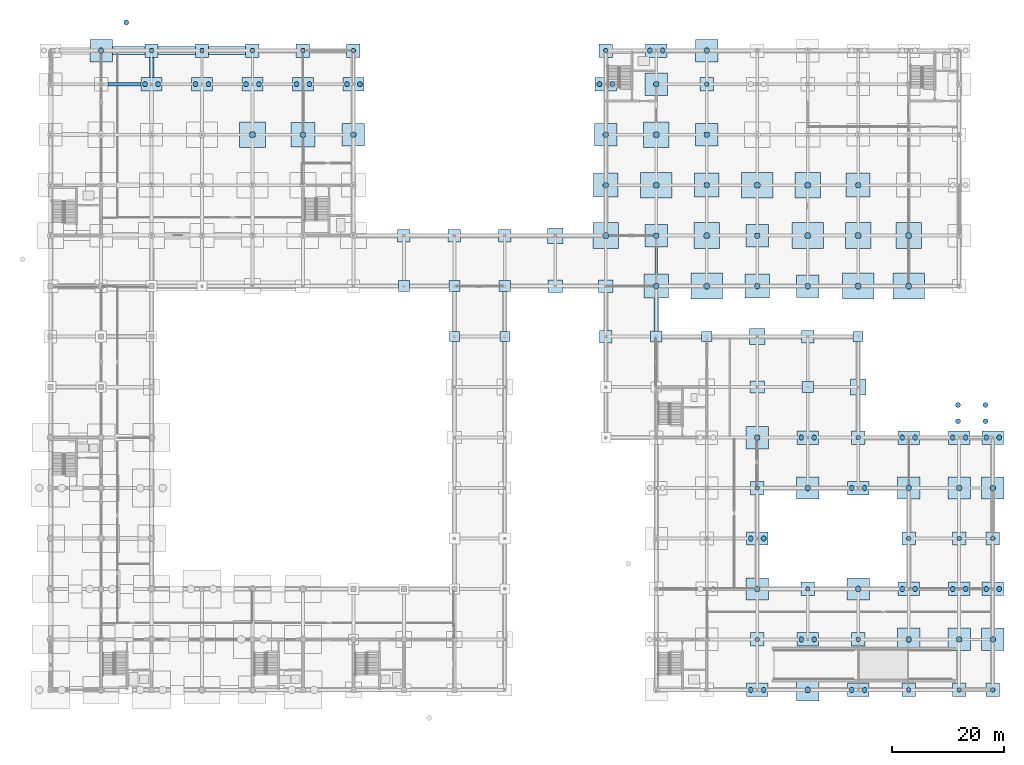
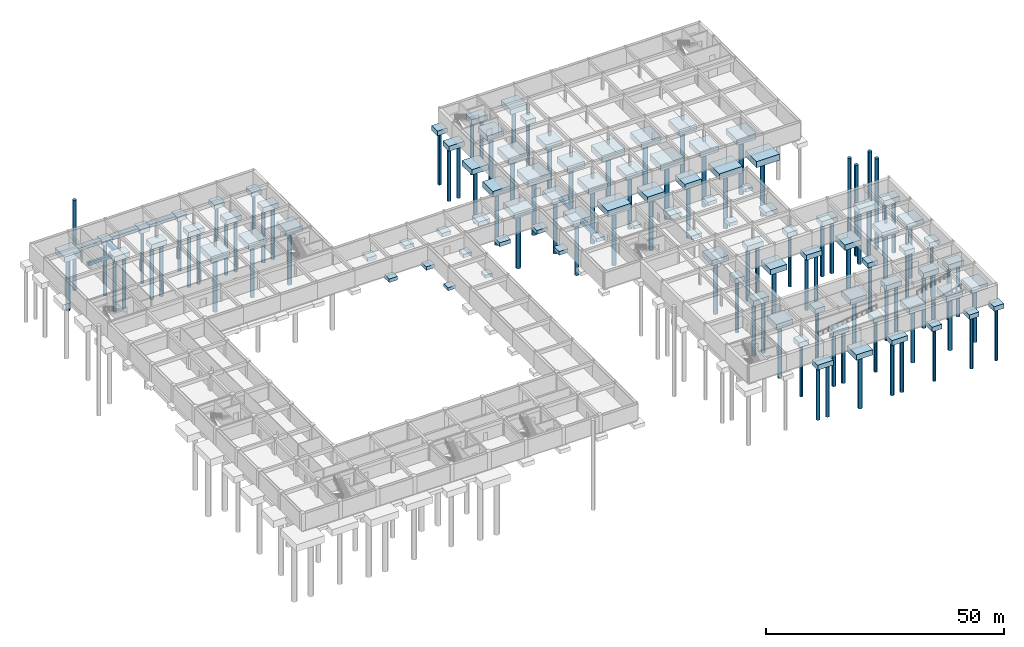
# One storey, part 3 of 41: 103 footings, 100 piles.
"""IFC4 building model written with IfcOpenShell, lengths in metres."""

import ifcopenshell
import ifcopenshell.guid

model = None  # the IFC model being written
_history = None  # IfcOwnerHistory: only IFC2X3 demands one
_inside = {}  # id of a spatial element -> (the spatial element, [elements in it])
_under = {}  # id of a project, library or spatial element -> (it, [spatial elements below it])
_declared = {}  # id of a project -> (the project, [libraries it declares])
_typed = {}  # id of a type object -> (the type object, [elements of that type])
_made_of = {}  # id of a material, layer set ... -> (it, [elements and type objects made of it])


def new_model(schema):
    """Start an empty IFC model of exactly this schema.

    Asked for "IFC4X3", IfcOpenShell would pick the latest addendum, in which some entities
    have other attributes; the version numbers below select the first issue.
    IFC2X3 requires an IfcOwnerHistory on every rooted entity: one is made here for all.
    """
    global model, _history
    if schema == "IFC4X3":
        model = ifcopenshell.file(schema_version=(4, 3, 0, 0))
    else:
        model = ifcopenshell.file(schema=schema)
    _inside.clear()
    _under.clear()
    _declared.clear()
    _typed.clear()
    _made_of.clear()
    _history = None
    if model.schema == "IFC2X3":
        org = make("IfcOrganization", Name="unknown")
        user = make(
            "IfcPersonAndOrganization",
            ThePerson=make("IfcPerson", FamilyName="unknown"),
            TheOrganization=org,
        )
        app = make(
            "IfcApplication",
            ApplicationDeveloper=org,
            Version="unknown",
            ApplicationFullName="unknown",
            ApplicationIdentifier="unknown",
        )
        _history = make(
            "IfcOwnerHistory",
            OwningUser=user,
            OwningApplication=app,
            ChangeAction="ADDED",
            CreationDate=0,
        )
    return model


def make(cls, **values):
    """One entity of the class cls with the attributes given. An attribute that is None is left unset."""
    return model.create_entity(
        cls, **{name: value for name, value in values.items() if value is not None}
    )


def rooted(cls, **values):
    """An entity with a GlobalId (a new one), such as an element, a storey or a relation."""
    return make(cls, GlobalId=ifcopenshell.guid.new(), OwnerHistory=_history, **values)


def si_unit(unit_type, name, prefix=None):
    """IfcSIUnit, for example si_unit("LENGTHUNIT", "METRE", prefix="MILLI")."""
    return make("IfcSIUnit", UnitType=unit_type, Prefix=prefix, Name=name)


def assignment(units):
    """IfcUnitAssignment: the units of a project."""
    return None if units is None else make("IfcUnitAssignment", Units=units)


def point(xyz):
    """IfcCartesianPoint."""
    return None if xyz is None else make("IfcCartesianPoint", Coordinates=xyz)


def direction(xyz):
    """IfcDirection."""
    return None if xyz is None else make("IfcDirection", DirectionRatios=xyz)


def frame(location, z_axis=None, x_axis=None):
    """IfcAxis2Placement3D, a coordinate frame: its origin and axes. An axis left out is left unset."""
    return make(
        "IfcAxis2Placement3D",
        Location=point(location),
        Axis=direction(z_axis),
        RefDirection=direction(x_axis),
    )


def frame_2d(location, x_axis=None):
    """IfcAxis2Placement2D, a coordinate frame in the plane: its origin and x axis."""
    return make(
        "IfcAxis2Placement2D", Location=point(location), RefDirection=direction(x_axis)
    )


def origin():
    """The frame at (0, 0, 0) with its axes left unset."""
    return frame((0.0, 0.0, 0.0))


def origin_2d():
    """The frame at (0, 0) in the plane with its x axis left unset."""
    return frame_2d((0.0, 0.0))


def place(relative_to, where):
    """IfcLocalPlacement: puts the frame where relative to a parent placement (None: the world)."""
    return make(
        "IfcLocalPlacement", PlacementRelTo=relative_to, RelativePlacement=where
    )


def context(
    kind, dimensions, precision=None, world=None, true_north=None, identifier=None
):
    """IfcGeometricRepresentationContext, for example the 3D "Model" context."""
    return make(
        "IfcGeometricRepresentationContext",
        ContextIdentifier=identifier,
        ContextType=kind,
        CoordinateSpaceDimension=dimensions,
        Precision=precision,
        WorldCoordinateSystem=world,
        TrueNorth=true_north,
    )


def subcontext(parent, identifier, kind, view, scale=None):
    """IfcGeometricRepresentationSubContext, for example "Body" below "Model"."""
    return make(
        "IfcGeometricRepresentationSubContext",
        ContextIdentifier=identifier,
        ContextType=kind,
        ParentContext=parent,
        TargetScale=scale,
        TargetView=view,
    )


def project(units=None, contexts=None):
    """IfcProject with its units and contexts."""
    return rooted(
        "IfcProject",
        Name="project",
        RepresentationContexts=contexts,
        UnitsInContext=assignment(units),
    )


def spatial(cls, under=None, at=None, **own):
    """A site, building, storey or space (cls), placed at a placement, below another one or the project."""
    s = rooted(cls, ObjectPlacement=at, **own)
    if under is not None:
        _under.setdefault(under.id(), (under, []))[1].append(s)
    return s


def profile(cls, at=None, kind="AREA", **sizes):
    """A parametric profile (cls). Its sizes go by their IFC names, for example OverallWidth=200.0."""
    return make(cls, ProfileType=kind, Position=at, **sizes)


def rectangle(**sizes):
    """IfcRectangleProfileDef."""
    return profile("IfcRectangleProfileDef", **sizes)


def circle(**sizes):
    """IfcCircleProfileDef."""
    return profile("IfcCircleProfileDef", **sizes)


def extrude(swept, where, along, depth):
    """IfcExtrudedAreaSolid: the profile swept, set in the frame where, extruded along a direction by depth."""
    return make(
        "IfcExtrudedAreaSolid",
        SweptArea=swept,
        Position=where,
        ExtrudedDirection=direction(along),
        Depth=depth,
    )


def shape(context_of_items, identifier, shape_type, items):
    """IfcShapeRepresentation: the items that make up one representation, for example the "Body"."""
    return make(
        "IfcShapeRepresentation",
        ContextOfItems=context_of_items,
        RepresentationIdentifier=identifier,
        RepresentationType=shape_type,
        Items=items,
    )


def material(Name=None, Category=None):
    """IfcMaterial."""
    return make("IfcMaterial", Name=Name, Category=Category)


def material_profile(
    of_material, cross_section, Name=None, Category=None, Priority=None
):
    """IfcMaterialProfile: a cross section and its material."""
    return make(
        "IfcMaterialProfile",
        Name=Name,
        Material=of_material,
        Profile=cross_section,
        Priority=Priority,
        Category=Category,
    )


def profile_set(profiles, Name=None, composite=None):
    """IfcMaterialProfileSet."""
    return make(
        "IfcMaterialProfileSet",
        Name=Name,
        MaterialProfiles=profiles,
        CompositeProfile=composite,
    )


def made_of(thing, what):
    """Note that an element or type object is made of a material, layer set ...; save() writes the relation."""
    if what is not None:
        _made_of.setdefault(what.id(), (what, []))[1].append(thing)
    return thing


def type_object(cls, material=None, **own):
    """A type object (cls), such as IfcWallType, which elements share."""
    return made_of(rooted(cls, **own), material)


def element(
    cls,
    number,
    at=None,
    inside=None,
    cuts=None,
    type_object=None,
    material=None,
    context=None,
    identifier="Body",
    shape_type=None,
    held_by="IfcProductDefinitionShape",
    body=None,
    shapes=None,
    **own,
):
    """One element of the class cls, such as IfcWall. Its Tag is "e" and its number.

    at: its placement. inside: the storey or other place that contains it. cuts: it is an
    opening in that element (IfcRelVoidsElement). A single representation is given by context,
    identifier, shape_type and body (its items); several are given by shapes. held_by: the class
    of the entity that holds the representations. save() writes the other relations.
    """
    e = rooted(cls, Tag="e%d" % number, ObjectPlacement=at, **own)
    if body is not None:
        shapes = [shape(context, identifier, shape_type, body)]
    if shapes is not None:
        e.Representation = make(held_by, Representations=shapes)
    if inside is not None:
        _inside.setdefault(inside.id(), (inside, []))[1].append(e)
    if cuts is not None:
        rooted(
            "IfcRelVoidsElement", RelatingBuildingElement=cuts, RelatedOpeningElement=e
        )
    if type_object is not None:
        _typed.setdefault(type_object.id(), (type_object, []))[1].append(e)
    return made_of(e, material)


def aggregate(whole, parts):
    """IfcRelAggregates: a whole, such as a stair, and the parts it consists of."""
    return rooted("IfcRelAggregates", RelatingObject=whole, RelatedObjects=parts)


def save(model, path):
    """Write the relations noted so far, then the file.

    IfcRelAggregates (storeys below a building ...), IfcRelContainedInSpatialStructure (elements
    in a storey), IfcRelDefinesByType, IfcRelAssociatesMaterial and IfcRelDeclares: one each for
    every whole, place, type object, material and project.
    """
    for whole, parts in _under.values():
        aggregate(whole, parts)
    for where, things in _inside.values():
        rooted(
            "IfcRelContainedInSpatialStructure",
            RelatedElements=things,
            RelatingStructure=where,
        )
    for kind, things in _typed.values():
        rooted("IfcRelDefinesByType", RelatedObjects=things, RelatingType=kind)
    for what, things in _made_of.values():
        rooted("IfcRelAssociatesMaterial", RelatedObjects=things, RelatingMaterial=what)
    for by, libraries in _declared.values():
        rooted("IfcRelDeclares", RelatingContext=by, RelatedDefinitions=libraries)
    model.write(path)


model = new_model("IFC4")

# Units and contexts
model_context = context("Model", 3, precision=1e-05, world=origin(), true_north=direction((0.0, 1.0)))
body_context = subcontext(model_context, "Body", "Model", "MODEL_VIEW")
ifc_project = project(units=[si_unit("LENGTHUNIT", "METRE"), si_unit("AREAUNIT", "SQUARE_METRE"), si_unit("VOLUMEUNIT", "CUBIC_METRE"), si_unit("PLANEANGLEUNIT", "RADIAN"), si_unit("MASSUNIT", "GRAM", prefix="KILO")], contexts=[model_context])

# Site, building, storey
site_placement = place(None, origin())
site = spatial("IfcSite", under=ifc_project, at=site_placement, CompositionType="ELEMENT")
building_placement = place(site_placement, origin())
building = spatial("IfcBuilding", under=site, at=building_placement, Name="Palais des Congres Ocreval", CompositionType="ELEMENT")
storey_placement = place(building_placement, frame((0.0, 0.0, -8.9599609375)))
storey = spatial("IfcBuildingStorey", under=building, at=storey_placement, Name="B2", CompositionType="ELEMENT", Elevation=-8.9599609375)

# Piles
ifc_material = material(Name="Concrete C35/45", Category="concrete")
ifc_material_profile_1 = material_profile(ifc_material, circle(Radius=0.5, at=origin_2d()), Name="BORED PILE 1000")
ifc_profile_set_1 = profile_set([ifc_material_profile_1], Name="Concrete C35/45")
pile_type_1 = type_object("IfcPileType", Name="Bored Pile D1000 Concrete C35/45", PredefinedType="BORED", material=ifc_profile_set_1)
for number, where, z_axis, x_axis, name in (
    (1, (9.0, 114.0, -2.0), (0.0, 0.0, -1.0), (1.0, 0.0, 0.0), "Bored Pile PI03"),
    (2, (45.0, 99.0, -2.10009765625), (0.0, 0.0, -1.0), (1.0, 0.0, 0.0), "Bored Pile PI03"),
    (3, (54.0, 99.0, -2.0), (0.0, 0.0, -1.0), (1.0, 0.0, 0.0), "Bored Pile PI03"),
    (4, (99.0, 90.0, -2.10009765625), (0.0, 0.0, -1.0), (1.0, 0.0, 0.0), "Bored Pile PI03"),
    (5, (99.0, 99.0, -2.0), (0.0, 0.0, -1.0), (1.0, 0.0, 0.0), "Bored Pile PI03"),
    (6, (108.0, 72.0, -2.10009765625), (0.0, 0.0, -1.0), (1.0, 0.0, 0.0), "Bored Pile PI03"),
    (7, (108.0, 81.0, -2.0), (0.0, 0.0, -1.0), (1.0, 0.0, 0.0), "Bored Pile PI03"),
    (8, (108.0, 108.0, -2.0), (0.0, 0.0, -1.0), (1.0, 0.0, 0.0), "Bored Pile PI03"),
    (9, (117.0, 90.0, -2.10009765625), (0.0, 0.0, -1.0), (1.0, 0.0, 0.0), "Bored Pile PI03"),
    (10, (117.0, 99.0, -2.0), (0.0, 0.0, -1.0), (1.0, 0.0, 0.0), "Bored Pile PI03"),
    (11, (117.0, 114.0, -2.0), (0.0, 0.0, -1.0), (1.0, 0.0, 0.0), "Bored Pile PI03"),
    (12, (126.0, 18.0, -2.0), (0.0, 0.0, -1.0), (1.0, 0.0, 0.0), "Bored Pile PI03"),
    (13, (126.0, 45.0, -2.0), (0.0, 0.0, -1.0), (1.0, 0.0, 0.0), "Bored Pile PI03"),
    (14, (126.0, 72.0, -2.10009765625), (0.0, 0.0, -1.0), (1.0, 0.0, 0.0), "Bored Pile PI03"),
    (15, (126.0, 81.0, -2.0), (0.0, 0.0, -1.0), (1.0, 0.0, 0.0), "Bored Pile PI03"),
    (16, (135.0, 0.0, -2.0), (0.0, 0.0, -1.0), (1.0, 0.0, 0.0), "Bored Pile PI03"),
    (17, (135.0, 36.0, -2.0), (0.0, 0.0, -1.0), (1.0, 0.0, 0.0), "Bored Pile PI03"),
    (18, (135.0, 72.0, -2.0), (0.0, 0.0, -1.0), (1.0, 0.0, 0.0), "Bored Pile PI03"),
    (19, (144.0, 18.0, -2.0), (0.0, 0.0, -1.0), (1.0, 0.0, 0.0), "Bored Pile PI03"),
    (20, (144.0, 90.0, -2.10009765625), (0.0, 0.0, -1.0), (1.0, 0.0, 0.0), "Bored Pile PI03"),
    (21, (153.0, 9.0, -2.0), (0.0, 0.0, -1.0), (1.0, 0.0, 0.0), "Bored Pile PI03"),
    (22, (153.0, 36.0, -2.0), (0.0, 0.0, -1.0), (1.0, 0.0, 0.0), "Bored Pile PI03"),
    (23, (162.0, 9.0, -2.0), (0.0, 0.0, -1.0), (1.0, 0.0, 0.0), "Bored Pile PI03"),
    (24, (162.0, 36.0, -2.0), (0.0, 0.0, -1.0), (1.0, 0.0, 0.0), "Bored Pile PI03"),
    (25, (168.0, 9.0, -2.0), (0.0, 0.0, -1.0), (1.0, 0.0, 0.0), "Bored Pile PI03"),
    (26, (168.0, 36.0, -2.0), (0.0, 0.0, -1.0), (1.0, 0.0, 0.0), "Bored Pile PI03"),
):
    element("IfcPile", number, at=place(storey_placement, frame(where, z_axis=z_axis, x_axis=x_axis)), inside=storey, type_object=pile_type_1, Name=name, PredefinedType="BORED", context=body_context, shape_type="SweptSolid", body=[
        extrude(circle(Radius=0.5, at=origin_2d()), origin(), (0.0, 0.0, 1.0), 14.0),
    ])
ifc_material_profile_2 = material_profile(ifc_material, circle(Radius=0.550048828125, at=origin_2d()), Name="BORED PILE 1100")
ifc_profile_set_2 = profile_set([ifc_material_profile_2], Name="Concrete C35/45")
pile_type_2 = type_object("IfcPileType", Name="Bored Pile D1100 Concrete C35/45", PredefinedType="BORED", material=ifc_profile_set_2)
for number, where, z_axis, x_axis, name in (
    (27, (36.0, 99.0, -2.10009765625), (0.0, 0.0, -1.0), (1.0, 0.0, 0.0), "Bored Pile PI04"),
    (28, (99.0, 81.0, -2.10009765625), (0.0, 0.0, -1.0), (1.0, 0.0, 0.0), "Bored Pile PI04"),
    (29, (108.0, 90.0, -2.199951171875), (0.0, 0.0, -1.0), (1.0, 0.0, 0.0), "Bored Pile PI04"),
    (30, (108.0, 99.0, -2.10009765625), (0.0, 0.0, -1.0), (1.0, 0.0, 0.0), "Bored Pile PI04"),
    (31, (117.0, 72.0, -2.199951171875), (0.0, 0.0, -1.0), (1.0, 0.0, 0.0), "Bored Pile PI04"),
    (32, (117.0, 81.0, -2.10009765625), (0.0, 0.0, -1.0), (1.0, 0.0, 0.0), "Bored Pile PI04"),
    (33, (126.0, 90.0, -2.199951171875), (0.0, 0.0, -1.0), (1.0, 0.0, 0.0), "Bored Pile PI04"),
    (34, (135.0, 81.0, -2.199951171875), (0.0, 0.0, -1.0), (1.0, 0.0, 0.0), "Bored Pile PI04"),
    (35, (135.0, 90.0, -2.10009765625), (0.0, 0.0, -1.0), (1.0, 0.0, 0.0), "Bored Pile PI04"),
    (36, (144.0, 72.0, -2.199951171875), (0.0, 0.0, -1.0), (1.0, 0.0, 0.0), "Bored Pile PI04"),
    (37, (144.0, 81.0, -2.10009765625), (0.0, 0.0, -1.0), (1.0, 0.0, 0.0), "Bored Pile PI04"),
    (38, (153.0, 72.0, -2.199951171875), (0.0, 0.0, -1.0), (1.0, 0.0, 0.0), "Bored Pile PI04"),
    (39, (153.0, 81.0, -2.10009765625), (0.0, 0.0, -1.0), (1.0, 0.0, 0.0), "Bored Pile PI04"),
):
    element("IfcPile", number, at=place(storey_placement, frame(where, z_axis=z_axis, x_axis=x_axis)), inside=storey, type_object=pile_type_2, Name=name, PredefinedType="BORED", context=body_context, shape_type="SweptSolid", body=[
        extrude(circle(Radius=0.550048828125, at=origin_2d()), origin(), (0.0, 0.0, 1.0), 14.5),
    ])
ifc_material_profile_3 = material_profile(ifc_material, circle(Radius=0.39990234375, at=origin_2d()), Name="BORED PILE 800")
ifc_profile_set_3 = profile_set([ifc_material_profile_3], Name="Concrete C35/45")
pile_type_3 = type_object("IfcPileType", Name="Bored Pile D800 Concrete C35/45", PredefinedType="BORED", material=ifc_profile_set_3)
for number, where, z_axis, x_axis, name in (
    (40, (18.0, 114.0, -1.800048828125), (0.0, 0.0, -1.0), (1.0, 0.0, 0.0), "Bored Pile PI01"),
    (41, (27.0, 114.0, -1.800048828125), (0.0, 0.0, -1.0), (1.0, 0.0, 0.0), "Bored Pile PI01"),
    (42, (36.0, 114.0, -1.800048828125), (0.0, 0.0, -1.0), (1.0, 0.0, 0.0), "Bored Pile PI01"),
    (43, (45.0, 114.0, -1.800048828125), (0.0, 0.0, -1.0), (1.0, 0.0, 0.0), "Bored Pile PI01"),
    (44, (54.0, 114.0, -1.800048828125), (0.0, 0.0, -1.0), (1.0, 0.0, 0.0), "Bored Pile PI01"),
    (45, (99.0, 114.0, -1.800048828125), (0.0, 0.0, -1.0), (1.0, 0.0, 0.0), "Bored Pile PI01"),
    (46, (117.0, 108.0, -1.800048828125), (0.0, 0.0, -1.0), (1.0, 0.0, 0.0), "Bored Pile PI01"),
    (47, (126.0, 9.0, -1.800048828125), (0.0, 0.0, -1.0), (1.0, 0.0, 0.0), "Bored Pile PI01"),
    (48, (126.0, 36.0, -1.800048828125), (0.0, 0.0, -1.0), (1.0, 0.0, 0.0), "Bored Pile PI01"),
    (49, (135.0, 18.0, -1.800048828125), (0.0, 0.0, -1.0), (1.0, 0.0, 0.0), "Bored Pile PI01"),
    (50, (144.0, 9.0, -1.800048828125), (0.0, 0.0, -1.0), (1.0, 0.0, 0.0), "Bored Pile PI01"),
    (51, (144.0, 45.0, -1.800048828125), (0.0, 0.0, -1.0), (1.0, 0.0, 0.0), "Bored Pile PI01"),
    (52, (153.0, 0.0, -1.800048828125), (0.0, 0.0, -1.0), (1.0, 0.0, 0.0), "Bored Pile PI01"),
    (53, (153.0, 27.0, -1.800048828125), (0.0, 0.0, -1.0), (1.0, 0.0, 0.0), "Bored Pile PI01"),
    (54, (162.0, 0.0, -1.800048828125), (0.0, 0.0, -1.0), (1.0, 0.0, 0.0), "Bored Pile PI01"),
    (55, (162.0, 27.0, -1.800048828125), (0.0, 0.0, -1.0), (1.0, 0.0, 0.0), "Bored Pile PI01"),
    (56, (168.0, 0.0, -1.800048828125), (0.0, 0.0, -1.0), (1.0, 0.0, 0.0), "Bored Pile PI01"),
    (57, (168.0, 27.0, -1.800048828125), (0.0, 0.0, -1.0), (1.0, 0.0, 0.0), "Bored Pile PI01"),
):
    element("IfcPile", number, at=place(storey_placement, frame(where, z_axis=z_axis, x_axis=x_axis)), inside=storey, type_object=pile_type_3, Name=name, PredefinedType="BORED", context=body_context, shape_type="SweptSolid", body=[
        extrude(circle(Radius=0.39990234375, at=origin_2d()), origin(), (0.0, 0.0, 1.0), 13.5),
    ])
ifc_material_profile_4 = material_profile(ifc_material, circle(Radius=0.449951171875, at=origin_2d()), Name="BORED PILE 900")
ifc_profile_set_4 = profile_set([ifc_material_profile_4], Name="Concrete C35/45")
pile_type_4 = type_object("IfcPileType", Name="Bored Pile D900 Concrete C35/45", PredefinedType="BORED", material=ifc_profile_set_4)
for number, where, z_axis, x_axis, name in (
    (58, (16.85009765625, 108.0, -1.900146484375), (0.0, 0.0, -1.0), (1.0, 0.0, 0.0), "Bored Pile PI02"),
    (59, (19.14990234375, 108.0, -1.900146484375), (0.0, 0.0, -1.0), (1.0, 0.0, 0.0), "Bored Pile PI02"),
    (60, (25.85009765625, 108.0, -1.900146484375), (0.0, 0.0, -1.0), (1.0, 0.0, 0.0), "Bored Pile PI02"),
    (61, (28.14990234375, 108.0, -1.900146484375), (0.0, 0.0, -1.0), (1.0, 0.0, 0.0), "Bored Pile PI02"),
    (62, (34.85009765625, 108.0, -1.900146484375), (0.0, 0.0, -1.0), (1.0, 0.0, 0.0), "Bored Pile PI02"),
    (63, (37.14990234375, 108.0, -1.900146484375), (0.0, 0.0, -1.0), (1.0, 0.0, 0.0), "Bored Pile PI02"),
    (64, (43.85009765625, 108.0, -1.900146484375), (0.0, 0.0, -1.0), (1.0, 0.0, 0.0), "Bored Pile PI02"),
    (65, (46.14990234375, 108.0, -1.900146484375), (0.0, 0.0, -1.0), (1.0, 0.0, 0.0), "Bored Pile PI02"),
    (66, (52.85009765625, 108.0, -1.900146484375), (0.0, 0.0, -1.0), (1.0, 0.0, 0.0), "Bored Pile PI02"),
    (67, (55.14990234375, 108.0, -1.900146484375), (0.0, 0.0, -1.0), (1.0, 0.0, 0.0), "Bored Pile PI02"),
    (68, (97.85009765625, 108.0, -1.900146484375), (0.0, 0.0, -1.0), (1.0, 0.0, 0.0), "Bored Pile PI02"),
    (69, (100.14990234375, 108.0, -1.900146484375), (0.0, 0.0, -1.0), (1.0, 0.0, 0.0), "Bored Pile PI02"),
    (70, (106.85009765625, 114.0, -1.900146484375), (0.0, 0.0, -1.0), (1.0, 0.0, 0.0), "Bored Pile PI02"),
    (71, (109.14990234375, 114.0, -1.900146484375), (0.0, 0.0, -1.0), (1.0, 0.0, 0.0), "Bored Pile PI02"),
    (72, (124.85009765625, 0.0, -1.900146484375), (0.0, 0.0, -1.0), (1.0, 0.0, 0.0), "Bored Pile PI02"),
    (73, (127.14990234375, 0.0, -1.900146484375), (0.0, 0.0, -1.0), (1.0, 0.0, 0.0), "Bored Pile PI02"),
    (74, (124.85009765625, 27.0, -1.900146484375), (0.0, 0.0, -1.0), (1.0, 0.0, 0.0), "Bored Pile PI02"),
    (75, (127.14990234375, 27.0, -1.900146484375), (0.0, 0.0, -1.0), (1.0, 0.0, 0.0), "Bored Pile PI02"),
    (76, (133.85009765625, 9.0, -1.900146484375), (0.0, 0.0, -1.0), (1.0, 0.0, 0.0), "Bored Pile PI02"),
    (77, (136.14990234375, 9.0, -1.900146484375), (0.0, 0.0, -1.0), (1.0, 0.0, 0.0), "Bored Pile PI02"),
    (78, (133.85009765625, 45.0, -1.900146484375), (0.0, 0.0, -1.0), (1.0, 0.0, 0.0), "Bored Pile PI02"),
    (79, (136.14990234375, 45.0, -1.900146484375), (0.0, 0.0, -1.0), (1.0, 0.0, 0.0), "Bored Pile PI02"),
    (80, (142.85009765625, 0.0, -1.900146484375), (0.0, 0.0, -1.0), (1.0, 0.0, 0.0), "Bored Pile PI02"),
    (81, (145.14990234375, 0.0, -1.900146484375), (0.0, 0.0, -1.0), (1.0, 0.0, 0.0), "Bored Pile PI02"),
    (82, (142.85009765625, 36.0, -1.900146484375), (0.0, 0.0, -1.0), (1.0, 0.0, 0.0), "Bored Pile PI02"),
    (83, (145.14990234375, 36.0, -1.900146484375), (0.0, 0.0, -1.0), (1.0, 0.0, 0.0), "Bored Pile PI02"),
    (84, (151.85009765625, 18.0, -1.900146484375), (0.0, 0.0, -1.0), (1.0, 0.0, 0.0), "Bored Pile PI02"),
    (85, (154.14990234375, 18.0, -1.900146484375), (0.0, 0.0, -1.0), (1.0, 0.0, 0.0), "Bored Pile PI02"),
    (86, (151.85009765625, 45.0, -1.900146484375), (0.0, 0.0, -1.0), (1.0, 0.0, 0.0), "Bored Pile PI02"),
    (87, (154.14990234375, 45.0, -1.900146484375), (0.0, 0.0, -1.0), (1.0, 0.0, 0.0), "Bored Pile PI02"),
    (88, (160.85009765625, 18.0, -1.900146484375), (0.0, 0.0, -1.0), (1.0, 0.0, 0.0), "Bored Pile PI02"),
    (89, (163.14990234375, 18.0, -1.900146484375), (0.0, 0.0, -1.0), (1.0, 0.0, 0.0), "Bored Pile PI02"),
    (90, (160.85009765625, 45.0, -1.900146484375), (0.0, 0.0, -1.0), (1.0, 0.0, 0.0), "Bored Pile PI02"),
    (91, (163.14990234375, 45.0, -1.900146484375), (0.0, 0.0, -1.0), (1.0, 0.0, 0.0), "Bored Pile PI02"),
    (92, (166.85009765625, 18.0, -1.900146484375), (0.0, 0.0, -1.0), (1.0, 0.0, 0.0), "Bored Pile PI02"),
    (93, (169.14990234375, 18.0, -1.900146484375), (0.0, 0.0, -1.0), (1.0, 0.0, 0.0), "Bored Pile PI02"),
    (94, (166.85009765625, 45.0, -1.900146484375), (0.0, 0.0, -1.0), (1.0, 0.0, 0.0), "Bored Pile PI02"),
    (95, (169.14990234375, 45.0, -1.900146484375), (0.0, 0.0, -1.0), (1.0, 0.0, 0.0), "Bored Pile PI02"),
):
    element("IfcPile", number, at=place(storey_placement, frame(where, z_axis=z_axis, x_axis=x_axis)), inside=storey, type_object=pile_type_4, Name=name, PredefinedType="BORED", context=body_context, shape_type="SweptSolid", body=[
        extrude(circle(Radius=0.449951171875, at=origin_2d()), origin(), (0.0, 0.0, 1.0), 13.5),
    ])
for number, where, z_axis, x_axis, name in (
    (96, (161.800048828125, 47.89990234375, 7.85986328125), (0.0, 0.0, -1.0), (1.0, 0.0, 0.0), "Vehicle Ramp Apron Bored Pile 1"),
    (97, (166.699951171875, 47.89990234375, 7.85986328125), (0.0, 0.0, -1.0), (1.0, 0.0, 0.0), "Vehicle Ramp Apron Bored Pile 2"),
    (98, (161.800048828125, 50.800048828125, 7.85986328125), (0.0, 0.0, -1.0), (1.0, 0.0, 0.0), "Vehicle Ramp Apron Bored Pile 3"),
    (99, (166.699951171875, 50.800048828125, 7.85986328125), (0.0, 0.0, -1.0), (1.0, 0.0, 0.0), "Vehicle Ramp Apron Bored Pile 4"),
):
    element("IfcPile", number, at=place(storey_placement, frame(where, z_axis=z_axis, x_axis=x_axis)), inside=storey, type_object=pile_type_4, Name=name, PredefinedType="BORED", context=body_context, shape_type="SweptSolid", body=[
        extrude(circle(Radius=0.449951171875, at=origin_2d()), origin(), (0.0, 0.0, 1.0), 23.260009765625),
    ])
pile_placement = place(storey_placement, frame((13.5, 119.0, 7.679931640625), z_axis=(0.0, 0.0, -1.0), x_axis=(1.0, 0.0, 0.0)))
element("IfcPile", 100, at=pile_placement, inside=storey, type_object=pile_type_4, Name="North Congress Parvis Accessible PMR Ramp R6 Threshold Bored Pile", PredefinedType="BORED", context=body_context, shape_type="SweptSolid", body=[
    extrude(circle(Radius=0.449951171875, at=origin_2d()), origin(), (0.0, 0.0, 1.0), 23.080078125),
])

# Footings
footing_type_1 = type_object("IfcFootingType", Name="Ground Tie Beam 500x700 Concrete C35/45", PredefinedType="FOOTING_BEAM", material=ifc_material)
footing_1_placement = place(storey_placement, frame((108.0, 76.574951171875, -1.2998046875), z_axis=(0.0, 0.0, 1.0), x_axis=(0.0, 1.0, 0.0)))
element("IfcFooting", 101, at=footing_1_placement, inside=storey, type_object=footing_type_1, Name="Foundation Beam TB04", PredefinedType="FOOTING_BEAM", context=body_context, shape_type="SweptSolid", body=[
    extrude(rectangle(XDim=4.85009765625, YDim=0.5, at=origin_2d()), origin(), (0.0, 0.0, 1.0), 0.699951171875),
])
footing_type_2 = type_object("IfcFootingType", Name="Ground Tie Beam 600x800 Concrete C35/45", PredefinedType="FOOTING_BEAM", material=ifc_material)
footing_2_placement = place(storey_placement, frame((13.14990234375, 108.0, -1.39990234375), z_axis=(0.0, 0.0, 1.0), x_axis=(1.0, 0.0, 0.0)))
element("IfcFooting", 102, at=footing_2_placement, inside=storey, type_object=footing_type_2, Name="Foundation Beam TB01", PredefinedType="FOOTING_BEAM", context=body_context, shape_type="SweptSolid", body=[
    extrude(rectangle(XDim=5.89990234375, YDim=0.60009765625, at=origin_2d()), origin(), (0.0, 0.0, 1.0), 0.800048828125),
])
footing_type_3 = type_object("IfcFootingType", Name="Ground Tie Beam 800x1000 Concrete C35/45", PredefinedType="FOOTING_BEAM", material=ifc_material)
footing_3_placement = place(storey_placement, frame((18.0, 111.0, -1.60009765625), z_axis=(0.0, 0.0, 1.0), x_axis=(0.0, 1.0, 0.0)))
element("IfcFooting", 103, at=footing_3_placement, inside=storey, type_object=footing_type_3, Name="Foundation Beam TB03", PredefinedType="FOOTING_BEAM", context=body_context, shape_type="SweptSolid", body=[
    extrude(rectangle(XDim=3.60009765625, YDim=0.800048828125, at=origin_2d()), origin(), (0.0, 0.0, 1.0), 1.0),
])
footing_4_placement = place(storey_placement, frame((108.0, 66.925048828125, -1.60009765625), z_axis=(0.0, 0.0, 1.0), x_axis=(0.0, 1.0, 0.0)))
element("IfcFooting", 104, at=footing_4_placement, inside=storey, type_object=footing_type_3, Name="Foundation Beam TB03", PredefinedType="FOOTING_BEAM", context=body_context, shape_type="SweptSolid", body=[
    extrude(rectangle(XDim=5.85009765625, YDim=0.800048828125, at=origin_2d()), origin(), (0.0, 0.0, 1.0), 1.0),
])
footing_type_4 = type_object("IfcFootingType", Name="Pad Footing 1800x1800x800 Concrete C35/45", PredefinedType="PAD_FOOTING", material=ifc_material)
for number, where, z_axis, x_axis, name in (
    (105, (72.0, 63.0, -1.39990234375), (0.0, 0.0, 1.0), (1.0, 0.0, 0.0), "Foundation PF01 (72,63)"),
    (106, (81.0, 63.0, -1.39990234375), (0.0, 0.0, 1.0), (1.0, 0.0, 0.0), "Foundation PF01 (81,63)"),
    (107, (117.0, 63.0, -1.39990234375), (0.0, 0.0, 1.0), (1.0, 0.0, 0.0), "Foundation PF01 (117,63)"),
    (108, (144.0, 63.0, -1.39990234375), (0.0, 0.0, 1.0), (1.0, 0.0, 0.0), "Foundation PF01 (144,63)"),
):
    element("IfcFooting", number, at=place(storey_placement, frame(where, z_axis=z_axis, x_axis=x_axis)), inside=storey, type_object=footing_type_4, Name=name, PredefinedType="PAD_FOOTING", context=body_context, shape_type="SweptSolid", body=[
        extrude(rectangle(XDim=1.800048828125, YDim=1.800048828125, at=origin_2d()), origin(), (0.0, 0.0, 1.0), 0.800048828125),
    ])
footing_type_5 = type_object("IfcFootingType", Name="Pad Footing 2000x2000x900 Concrete C35/45", PredefinedType="PAD_FOOTING", material=ifc_material)
for number, where, z_axis, x_axis, name in (
    (109, (63.0, 72.0, -1.5), (0.0, 0.0, 1.0), (1.0, 0.0, 0.0), "Foundation PF02 (63,72)"),
    (110, (72.0, 72.0, -1.5), (0.0, 0.0, 1.0), (1.0, 0.0, 0.0), "Foundation PF02 (72,72)"),
    (111, (81.0, 72.0, -1.5), (0.0, 0.0, 1.0), (1.0, 0.0, 0.0), "Foundation PF02 (81,72)"),
    (112, (108.0, 63.0, -1.5), (0.0, 0.0, 1.0), (1.0, 0.0, 0.0), "Foundation PF02 (108,63)"),
    (113, (135.0, 54.0, -1.5), (0.0, 0.0, 1.0), (1.0, 0.0, 0.0), "Foundation PF02 (135,54)"),
):
    element("IfcFooting", number, at=place(storey_placement, frame(where, z_axis=z_axis, x_axis=x_axis)), inside=storey, type_object=footing_type_5, Name=name, PredefinedType="PAD_FOOTING", context=body_context, shape_type="SweptSolid", body=[
        extrude(rectangle(XDim=2.0, YDim=2.0, at=origin_2d()), origin(), (0.0, 0.0, 1.0), 0.89990234375),
    ])
footing_type_6 = type_object("IfcFootingType", Name="Pad Footing 2200x2200x950 Concrete C35/45", PredefinedType="PAD_FOOTING", material=ifc_material)
for number, where, z_axis, x_axis, name in (
    (114, (63.0, 81.0, -1.5498046875), (0.0, 0.0, 1.0), (1.0, 0.0, 0.0), "Foundation PF03 (63,81)"),
    (115, (72.0, 81.0, -1.5498046875), (0.0, 0.0, 1.0), (1.0, 0.0, 0.0), "Foundation PF03 (72,81)"),
    (116, (81.0, 81.0, -1.5498046875), (0.0, 0.0, 1.0), (1.0, 0.0, 0.0), "Foundation PF03 (81,81)"),
    (117, (99.0, 63.0, -1.5498046875), (0.0, 0.0, 1.0), (1.0, 0.0, 0.0), "Foundation PF03 (99,63)"),
    (118, (135.0, 63.0, -1.5498046875), (0.0, 0.0, 1.0), (1.0, 0.0, 0.0), "Foundation PF03 (135,63)"),
):
    element("IfcFooting", number, at=place(storey_placement, frame(where, z_axis=z_axis, x_axis=x_axis)), inside=storey, type_object=footing_type_6, Name=name, PredefinedType="PAD_FOOTING", context=body_context, shape_type="SweptSolid", body=[
        extrude(rectangle(XDim=2.199951171875, YDim=2.199951171875, at=origin_2d()), origin(), (0.0, 0.0, 1.0), 0.949951171875),
    ])
footing_type_7 = type_object("IfcFootingType", Name="Pad Footing 2600x2200x1000 Concrete C35/45", PredefinedType="PAD_FOOTING", material=ifc_material)
for number, where, z_axis, x_axis, name in (
    (119, (90.0, 72.0, -1.60009765625), (0.0, 0.0, 1.0), (1.0, 0.0, 0.0), "Foundation PF04 (90,72)"),
    (120, (99.0, 72.0, -1.60009765625), (0.0, 0.0, 1.0), (1.0, 0.0, 0.0), "Foundation PF04 (99,72)"),
    (121, (126.0, 54.0, -1.60009765625), (0.0, 0.0, 1.0), (1.0, 0.0, 0.0), "Foundation PF04 (126,54)"),
):
    element("IfcFooting", number, at=place(storey_placement, frame(where, z_axis=z_axis, x_axis=x_axis)), inside=storey, type_object=footing_type_7, Name=name, PredefinedType="PAD_FOOTING", context=body_context, shape_type="SweptSolid", body=[
        extrude(rectangle(XDim=2.60009765625, YDim=2.199951171875, at=origin_2d()), origin(), (0.0, 0.0, 1.0), 1.0),
    ])
footing_type_8 = type_object("IfcFootingType", Name="Pad Footing 2800x2800x1100 Concrete C35/45", PredefinedType="PAD_FOOTING", material=ifc_material)
for number, where, z_axis, x_axis, name in (
    (122, (90.0, 81.0, -1.7001953125), (0.0, 0.0, 1.0), (1.0, 0.0, 0.0), "Foundation PF05 (90,81)"),
    (123, (126.0, 63.0, -1.7001953125), (0.0, 0.0, 1.0), (1.0, 0.0, 0.0), "Foundation PF05 (126,63)"),
    (124, (144.0, 54.0, -1.7001953125), (0.0, 0.0, 1.0), (1.0, 0.0, 0.0), "Foundation PF05 (144,54)"),
):
    element("IfcFooting", number, at=place(storey_placement, frame(where, z_axis=z_axis, x_axis=x_axis)), inside=storey, type_object=footing_type_8, Name=name, PredefinedType="PAD_FOOTING", context=body_context, shape_type="SweptSolid", body=[
        extrude(rectangle(XDim=2.800048828125, YDim=2.800048828125, at=origin_2d()), origin(), (0.0, 0.0, 1.0), 1.10009765625),
    ])
footing_type_9 = type_object("IfcFootingType", Name="Pile Cap 2400x2400x1200 Concrete C35/45", PredefinedType="PILE_CAP", material=ifc_material)
for number, where, z_axis, x_axis, name in (
    (125, (18.0, 114.0, -1.7998046875), (0.0, 0.0, 1.0), (1.0, 0.0, 0.0), "Foundation PC01 (18,114)"),
    (126, (27.0, 114.0, -1.7998046875), (0.0, 0.0, 1.0), (1.0, 0.0, 0.0), "Foundation PC01 (27,114)"),
    (127, (36.0, 114.0, -1.7998046875), (0.0, 0.0, 1.0), (1.0, 0.0, 0.0), "Foundation PC01 (36,114)"),
    (128, (45.0, 114.0, -1.7998046875), (0.0, 0.0, 1.0), (1.0, 0.0, 0.0), "Foundation PC01 (45,114)"),
    (129, (54.0, 114.0, -1.7998046875), (0.0, 0.0, 1.0), (1.0, 0.0, 0.0), "Foundation PC01 (54,114)"),
    (130, (99.0, 114.0, -1.7998046875), (0.0, 0.0, 1.0), (1.0, 0.0, 0.0), "Foundation PC01 (99,114)"),
    (131, (117.0, 108.0, -1.7998046875), (0.0, 0.0, 1.0), (1.0, 0.0, 0.0), "Foundation PC01 (117,108)"),
    (132, (126.0, 9.0, -1.7998046875), (0.0, 0.0, 1.0), (1.0, 0.0, 0.0), "Foundation PC01 (126,9)"),
    (133, (126.0, 36.0, -1.7998046875), (0.0, 0.0, 1.0), (1.0, 0.0, 0.0), "Foundation PC01 (126,36)"),
    (134, (135.0, 18.0, -1.7998046875), (0.0, 0.0, 1.0), (1.0, 0.0, 0.0), "Foundation PC01 (135,18)"),
    (135, (144.0, 9.0, -1.7998046875), (0.0, 0.0, 1.0), (1.0, 0.0, 0.0), "Foundation PC01 (144,9)"),
    (136, (144.0, 45.0, -1.7998046875), (0.0, 0.0, 1.0), (1.0, 0.0, 0.0), "Foundation PC01 (144,45)"),
    (137, (153.0, 0.0, -1.7998046875), (0.0, 0.0, 1.0), (1.0, 0.0, 0.0), "Foundation PC01 (153,0)"),
    (138, (153.0, 27.0, -1.7998046875), (0.0, 0.0, 1.0), (1.0, 0.0, 0.0), "Foundation PC01 (153,27)"),
    (139, (162.0, 0.0, -1.7998046875), (0.0, 0.0, 1.0), (1.0, 0.0, 0.0), "Foundation PC01 (162,0)"),
    (140, (162.0, 27.0, -1.7998046875), (0.0, 0.0, 1.0), (1.0, 0.0, 0.0), "Foundation PC01 (162,27)"),
    (141, (168.0, 0.0, -1.7998046875), (0.0, 0.0, 1.0), (1.0, 0.0, 0.0), "Foundation PC01 (168,0)"),
    (142, (168.0, 27.0, -1.7998046875), (0.0, 0.0, 1.0), (1.0, 0.0, 0.0), "Foundation PC01 (168,27)"),
):
    element("IfcFooting", number, at=place(storey_placement, frame(where, z_axis=z_axis, x_axis=x_axis)), inside=storey, type_object=footing_type_9, Name=name, PredefinedType="PILE_CAP", context=body_context, shape_type="SweptSolid", body=[
        extrude(rectangle(XDim=2.39990234375, YDim=2.39990234375, at=origin_2d()), origin(), (0.0, 0.0, 1.0), 1.199951171875),
    ])
footing_type_10 = type_object("IfcFootingType", Name="Pile Cap 3800x2400x1300 Concrete C35/45", PredefinedType="PILE_CAP", material=ifc_material)
for number, where, z_axis, x_axis, name in (
    (143, (18.0, 108.0, -1.89990234375), (0.0, 0.0, 1.0), (1.0, 0.0, 0.0), "Foundation PC02 (18,108)"),
    (144, (27.0, 108.0, -1.89990234375), (0.0, 0.0, 1.0), (1.0, 0.0, 0.0), "Foundation PC02 (27,108)"),
    (145, (36.0, 108.0, -1.89990234375), (0.0, 0.0, 1.0), (1.0, 0.0, 0.0), "Foundation PC02 (36,108)"),
    (146, (45.0, 108.0, -1.89990234375), (0.0, 0.0, 1.0), (1.0, 0.0, 0.0), "Foundation PC02 (45,108)"),
    (147, (54.0, 108.0, -1.89990234375), (0.0, 0.0, 1.0), (1.0, 0.0, 0.0), "Foundation PC02 (54,108)"),
    (148, (99.0, 108.0, -1.89990234375), (0.0, 0.0, 1.0), (1.0, 0.0, 0.0), "Foundation PC02 (99,108)"),
    (149, (108.0, 114.0, -1.89990234375), (0.0, 0.0, 1.0), (1.0, 0.0, 0.0), "Foundation PC02 (108,114)"),
    (150, (126.0, 0.0, -1.89990234375), (0.0, 0.0, 1.0), (1.0, 0.0, 0.0), "Foundation PC02 (126,0)"),
    (151, (126.0, 27.0, -1.89990234375), (0.0, 0.0, 1.0), (1.0, 0.0, 0.0), "Foundation PC02 (126,27)"),
    (152, (135.0, 9.0, -1.89990234375), (0.0, 0.0, 1.0), (1.0, 0.0, 0.0), "Foundation PC02 (135,9)"),
    (153, (135.0, 45.0, -1.89990234375), (0.0, 0.0, 1.0), (1.0, 0.0, 0.0), "Foundation PC02 (135,45)"),
    (154, (144.0, 0.0, -1.89990234375), (0.0, 0.0, 1.0), (1.0, 0.0, 0.0), "Foundation PC02 (144,0)"),
    (155, (144.0, 36.0, -1.89990234375), (0.0, 0.0, 1.0), (1.0, 0.0, 0.0), "Foundation PC02 (144,36)"),
    (156, (153.0, 18.0, -1.89990234375), (0.0, 0.0, 1.0), (1.0, 0.0, 0.0), "Foundation PC02 (153,18)"),
    (157, (153.0, 45.0, -1.89990234375), (0.0, 0.0, 1.0), (1.0, 0.0, 0.0), "Foundation PC02 (153,45)"),
    (158, (162.0, 18.0, -1.89990234375), (0.0, 0.0, 1.0), (1.0, 0.0, 0.0), "Foundation PC02 (162,18)"),
    (159, (162.0, 45.0, -1.89990234375), (0.0, 0.0, 1.0), (1.0, 0.0, 0.0), "Foundation PC02 (162,45)"),
    (160, (168.0, 18.0, -1.89990234375), (0.0, 0.0, 1.0), (1.0, 0.0, 0.0), "Foundation PC02 (168,18)"),
    (161, (168.0, 45.0, -1.89990234375), (0.0, 0.0, 1.0), (1.0, 0.0, 0.0), "Foundation PC02 (168,45)"),
):
    element("IfcFooting", number, at=place(storey_placement, frame(where, z_axis=z_axis, x_axis=x_axis)), inside=storey, type_object=footing_type_10, Name=name, PredefinedType="PILE_CAP", context=body_context, shape_type="SweptSolid", body=[
        extrude(rectangle(XDim=3.800048828125, YDim=2.39990234375, at=origin_2d()), origin(), (0.0, 0.0, 1.0), 1.300048828125),
    ])
footing_type_11 = type_object("IfcFootingType", Name="Pile Cap 4000x4000x1400 Concrete C35/45", PredefinedType="PILE_CAP", material=ifc_material)
for number, where, z_axis, x_axis, name in (
    (162, (9.0, 114.0, -2.0), (0.0, 0.0, 1.0), (1.0, 0.0, 0.0), "Foundation PC03 (9,114)"),
    (163, (54.0, 99.0, -2.0), (0.0, 0.0, 1.0), (1.0, 0.0, 0.0), "Foundation PC03 (54,99)"),
    (164, (99.0, 99.0, -2.0), (0.0, 0.0, 1.0), (1.0, 0.0, 0.0), "Foundation PC03 (99,99)"),
    (165, (108.0, 81.0, -2.0), (0.0, 0.0, 1.0), (1.0, 0.0, 0.0), "Foundation PC03 (108,81)"),
    (166, (108.0, 108.0, -2.0), (0.0, 0.0, 1.0), (1.0, 0.0, 0.0), "Foundation PC03 (108,108)"),
    (167, (117.0, 99.0, -2.0), (0.0, 0.0, 1.0), (1.0, 0.0, 0.0), "Foundation PC03 (117,99)"),
    (168, (117.0, 114.0, -2.0), (0.0, 0.0, 1.0), (1.0, 0.0, 0.0), "Foundation PC03 (117,114)"),
    (169, (126.0, 18.0, -2.0), (0.0, 0.0, 1.0), (1.0, 0.0, 0.0), "Foundation PC03 (126,18)"),
    (170, (126.0, 45.0, -2.0), (0.0, 0.0, 1.0), (1.0, 0.0, 0.0), "Foundation PC03 (126,45)"),
    (171, (126.0, 81.0, -2.0), (0.0, 0.0, 1.0), (1.0, 0.0, 0.0), "Foundation PC03 (126,81)"),
    (172, (135.0, 0.0, -2.0), (0.0, 0.0, 1.0), (1.0, 0.0, 0.0), "Foundation PC03 (135,0)"),
    (173, (135.0, 36.0, -2.0), (0.0, 0.0, 1.0), (1.0, 0.0, 0.0), "Foundation PC03 (135,36)"),
    (174, (135.0, 72.0, -2.0), (0.0, 0.0, 1.0), (1.0, 0.0, 0.0), "Foundation PC03 (135,72)"),
    (175, (144.0, 18.0, -2.0), (0.0, 0.0, 1.0), (1.0, 0.0, 0.0), "Foundation PC03 (144,18)"),
    (176, (153.0, 9.0, -2.0), (0.0, 0.0, 1.0), (1.0, 0.0, 0.0), "Foundation PC03 (153,9)"),
    (177, (153.0, 36.0, -2.0), (0.0, 0.0, 1.0), (1.0, 0.0, 0.0), "Foundation PC03 (153,36)"),
    (178, (162.0, 9.0, -2.0), (0.0, 0.0, 1.0), (1.0, 0.0, 0.0), "Foundation PC03 (162,9)"),
    (179, (162.0, 36.0, -2.0), (0.0, 0.0, 1.0), (1.0, 0.0, 0.0), "Foundation PC03 (162,36)"),
    (180, (168.0, 9.0, -2.0), (0.0, 0.0, 1.0), (1.0, 0.0, 0.0), "Foundation PC03 (168,9)"),
    (181, (168.0, 36.0, -2.0), (0.0, 0.0, 1.0), (1.0, 0.0, 0.0), "Foundation PC03 (168,36)"),
):
    element("IfcFooting", number, at=place(storey_placement, frame(where, z_axis=z_axis, x_axis=x_axis)), inside=storey, type_object=footing_type_11, Name=name, PredefinedType="PILE_CAP", context=body_context, shape_type="SweptSolid", body=[
        extrude(rectangle(XDim=4.0, YDim=4.0, at=origin_2d()), origin(), (0.0, 0.0, 1.0), 1.39990234375),
    ])
footing_type_12 = type_object("IfcFootingType", Name="Pile Cap 4300x4300x1500 Concrete C35/45", PredefinedType="PILE_CAP", material=ifc_material)
for number, where, z_axis, x_axis, name in (
    (182, (45.0, 99.0, -2.10009765625), (0.0, 0.0, 1.0), (1.0, 0.0, 0.0), "Foundation PC04 (45,99)"),
    (183, (99.0, 90.0, -2.10009765625), (0.0, 0.0, 1.0), (1.0, 0.0, 0.0), "Foundation PC04 (99,90)"),
    (184, (108.0, 72.0, -2.10009765625), (0.0, 0.0, 1.0), (1.0, 0.0, 0.0), "Foundation PC04 (108,72)"),
    (185, (117.0, 90.0, -2.10009765625), (0.0, 0.0, 1.0), (1.0, 0.0, 0.0), "Foundation PC04 (117,90)"),
    (186, (126.0, 72.0, -2.10009765625), (0.0, 0.0, 1.0), (1.0, 0.0, 0.0), "Foundation PC04 (126,72)"),
    (187, (144.0, 90.0, -2.10009765625), (0.0, 0.0, 1.0), (1.0, 0.0, 0.0), "Foundation PC04 (144,90)"),
):
    element("IfcFooting", number, at=place(storey_placement, frame(where, z_axis=z_axis, x_axis=x_axis)), inside=storey, type_object=footing_type_12, Name=name, PredefinedType="PILE_CAP", context=body_context, shape_type="SweptSolid", body=[
        extrude(rectangle(XDim=4.300048828125, YDim=4.300048828125, at=origin_2d()), origin(), (0.0, 0.0, 1.0), 1.5),
    ])
footing_type_13 = type_object("IfcFootingType", Name="Pile Cap 4600x4600x1500 Concrete C35/45", PredefinedType="PILE_CAP", material=ifc_material)
for number, where, z_axis, x_axis, name in (
    (188, (36.0, 99.0, -2.10009765625), (0.0, 0.0, 1.0), (1.0, 0.0, 0.0), "Foundation PC05 (36,99)"),
    (189, (99.0, 81.0, -2.10009765625), (0.0, 0.0, 1.0), (1.0, 0.0, 0.0), "Foundation PC05 (99,81)"),
    (190, (108.0, 99.0, -2.10009765625), (0.0, 0.0, 1.0), (1.0, 0.0, 0.0), "Foundation PC05 (108,99)"),
    (191, (117.0, 81.0, -2.10009765625), (0.0, 0.0, 1.0), (1.0, 0.0, 0.0), "Foundation PC05 (117,81)"),
    (192, (135.0, 90.0, -2.10009765625), (0.0, 0.0, 1.0), (1.0, 0.0, 0.0), "Foundation PC05 (135,90)"),
    (193, (144.0, 81.0, -2.10009765625), (0.0, 0.0, 1.0), (1.0, 0.0, 0.0), "Foundation PC05 (144,81)"),
    (194, (153.0, 81.0, -2.10009765625), (0.0, 0.0, 1.0), (1.0, 0.0, 0.0), "Foundation PC05 (153,81)"),
):
    element("IfcFooting", number, at=place(storey_placement, frame(where, z_axis=z_axis, x_axis=x_axis)), inside=storey, type_object=footing_type_13, Name=name, PredefinedType="PILE_CAP", context=body_context, shape_type="SweptSolid", body=[
        extrude(rectangle(XDim=4.60009765625, YDim=4.60009765625, at=origin_2d()), origin(), (0.0, 0.0, 1.0), 1.5),
    ])
footing_type_14 = type_object("IfcFootingType", Name="Pile Cap 5600x4600x1600 Concrete C35/45", PredefinedType="PILE_CAP", material=ifc_material)
for number, where, z_axis, x_axis, name in (
    (195, (108.0, 90.0, -2.2001953125), (0.0, 0.0, 1.0), (1.0, 0.0, 0.0), "Foundation PC07 (108,90)"),
    (196, (117.0, 72.0, -2.2001953125), (0.0, 0.0, 1.0), (1.0, 0.0, 0.0), "Foundation PC07 (117,72)"),
    (197, (126.0, 90.0, -2.2001953125), (0.0, 0.0, 1.0), (1.0, 0.0, 0.0), "Foundation PC07 (126,90)"),
    (198, (135.0, 81.0, -2.2001953125), (0.0, 0.0, 1.0), (1.0, 0.0, 0.0), "Foundation PC07 (135,81)"),
    (199, (144.0, 72.0, -2.2001953125), (0.0, 0.0, 1.0), (1.0, 0.0, 0.0), "Foundation PC07 (144,72)"),
    (200, (153.0, 72.0, -2.2001953125), (0.0, 0.0, 1.0), (1.0, 0.0, 0.0), "Foundation PC07 (153,72)"),
):
    element("IfcFooting", number, at=place(storey_placement, frame(where, z_axis=z_axis, x_axis=x_axis)), inside=storey, type_object=footing_type_14, Name=name, PredefinedType="PILE_CAP", context=body_context, shape_type="SweptSolid", body=[
        extrude(rectangle(XDim=5.60009765625, YDim=4.60009765625, at=origin_2d()), origin(), (0.0, 0.0, 1.0), 1.60009765625),
    ])
footing_type_15 = type_object("IfcFootingType", Name="Wall Strip Footing 1400x800 Concrete C35/45", PredefinedType="STRIP_FOOTING", material=ifc_material)
footing_5_placement = place(storey_placement, frame((13.89990234375, 114.0, -1.39990234375), z_axis=(0.0, 0.0, 1.0), x_axis=(1.0, 0.0, 0.0)))
element("IfcFooting", 201, at=footing_5_placement, inside=storey, type_object=footing_type_15, Name="Foundation Beam SF02", PredefinedType="STRIP_FOOTING", context=body_context, shape_type="SweptSolid", body=[
    extrude(rectangle(XDim=5.800048828125, YDim=1.39990234375, at=origin_2d()), origin(), (0.0, 0.0, 1.0), 0.800048828125),
])
for number, where, z_axis, x_axis, name in (
    (202, (22.5, 114.0, -1.39990234375), (0.0, 0.0, 1.0), (1.0, 0.0, 0.0), "Foundation Beam SF02"),
    (203, (31.5, 114.0, -1.39990234375), (0.0, 0.0, 1.0), (1.0, 0.0, 0.0), "Foundation Beam SF02"),
):
    element("IfcFooting", number, at=place(storey_placement, frame(where, z_axis=z_axis, x_axis=x_axis)), inside=storey, type_object=footing_type_15, Name=name, PredefinedType="STRIP_FOOTING", context=body_context, shape_type="SweptSolid", body=[
        extrude(rectangle(XDim=6.60009765625, YDim=1.39990234375, at=origin_2d()), origin(), (0.0, 0.0, 1.0), 0.800048828125),
    ])

save(model, "model.ifc")
